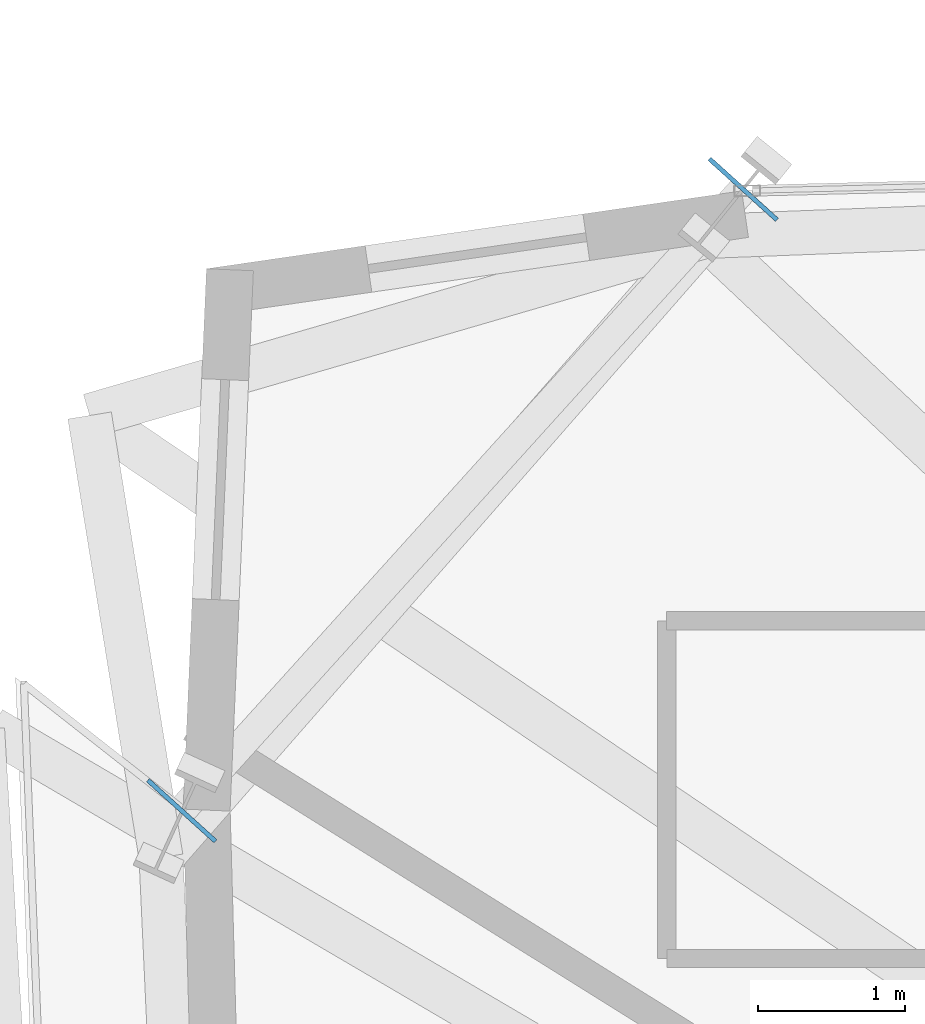
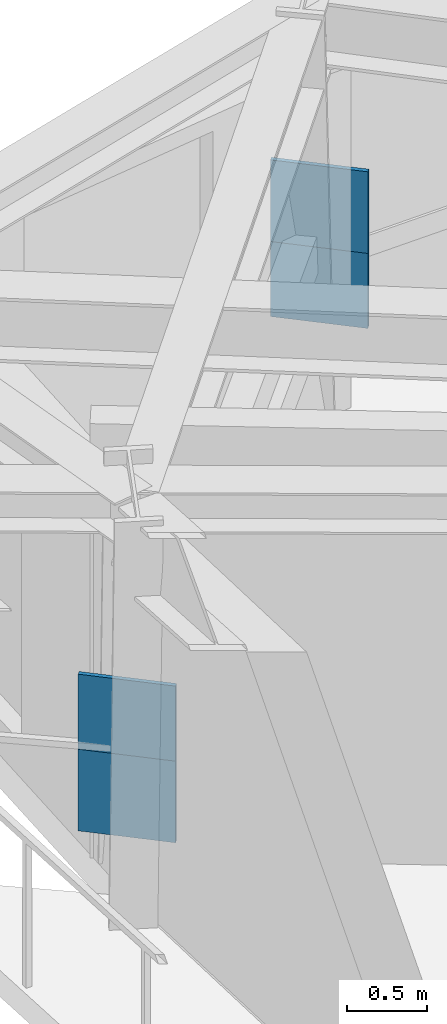
# One storey, part 12 of 20: 4 plates.
"""IFC4 building model written with IfcOpenShell, lengths in metres."""

from ifc_helpers import new_model, si_unit, direction, frame, origin, origin_2d, place, context, subcontext, project, spatial, rectangle, extrude, source, transform, mapped, material, type_object, element, save


model = new_model("IFC4")

# Units and contexts
model_context = context("Model", 3, precision=1e-05, world=origin(), true_north=direction((0.0, 1.0)))
body_context = subcontext(model_context, "Body", "Model", "MODEL_VIEW")
ifc_project = project(units=[si_unit("LENGTHUNIT", "METRE"), si_unit("AREAUNIT", "SQUARE_METRE"), si_unit("VOLUMEUNIT", "CUBIC_METRE"), si_unit("PLANEANGLEUNIT", "RADIAN"), si_unit("MASSUNIT", "GRAM", prefix="KILO")], contexts=[model_context])

# Site, building, storey
site_placement = place(None, origin())
site = spatial("IfcSite", under=ifc_project, at=site_placement, CompositionType="ELEMENT")
building_placement = place(site_placement, origin())
building = spatial("IfcBuilding", under=site, at=building_placement, Name="Olszyna Solenne Hotel", CompositionType="ELEMENT")
storey_placement = place(building_placement, frame((0.0, 0.0, 98.60009765625)))
storey = spatial("IfcBuildingStorey", under=building, at=storey_placement, Name="L25", CompositionType="ELEMENT", Elevation=98.60009765625)

# Plates
ifc_material = material(Name="Steel S460M", Category="steel")
plate_type = type_object("IfcPlateType", Name="GP-CAP2", PredefinedType="USERDEFINED", material=ifc_material)
shared_shape = source(origin(), body_context, "Body", "SweptSolid", [
    extrude(rectangle(XDim=0.030029296875, YDim=0.6201171875, at=origin_2d()), origin(), (0.0, 0.0, 1.0), 0.6201171875),
])
for number, where, z_axis, x_axis, name in (
    (1, (20.7294921875, 43.405517578125, 1.039794921875), (0.0, 0.0, 1.0), (-0.670426618959, -0.741975840976, 0.0), "Hollow section end-cap plate GP-CAP2 CP-PR-M-L25-PR1-1"),
    (2, (16.904296875, 39.172119140625, 1.039794921875), (0.0, 0.0, 1.0), (-0.670426618959, -0.741975840976, 0.0), "Hollow section end-cap plate GP-CAP2 CP-PR-M-L25-PR1-2"),
    (3, (20.7294921875, 43.405517578125, 0.4697265625), (0.0, 0.0, 1.0), (-0.670426618959, -0.741975840976, 0.0), "Hollow section end-cap plate GP-CAP2 CP-PR-M-L25-PR2-1"),
    (4, (16.904296875, 39.172119140625, 0.4697265625), (0.0, 0.0, 1.0), (-0.670426618959, -0.741975840976, 0.0), "Hollow section end-cap plate GP-CAP2 CP-PR-M-L25-PR2-2"),
):
    element("IfcPlate", number, at=place(storey_placement, frame(where, z_axis=z_axis, x_axis=x_axis)), inside=storey, type_object=plate_type, Name=name, ObjectType="GUSSET_PLATE", PredefinedType="USERDEFINED", context=body_context, shape_type="MappedRepresentation", body=[
        mapped(shared_shape, transform((0.0, 0.0, 0.0), x_axis=(1.0, 0.0, 0.0), y_axis=(0.0, 1.0, 0.0), z_axis=(0.0, 0.0, 1.0), scale=1.0)),
    ])

save(model, "model.ifc")
